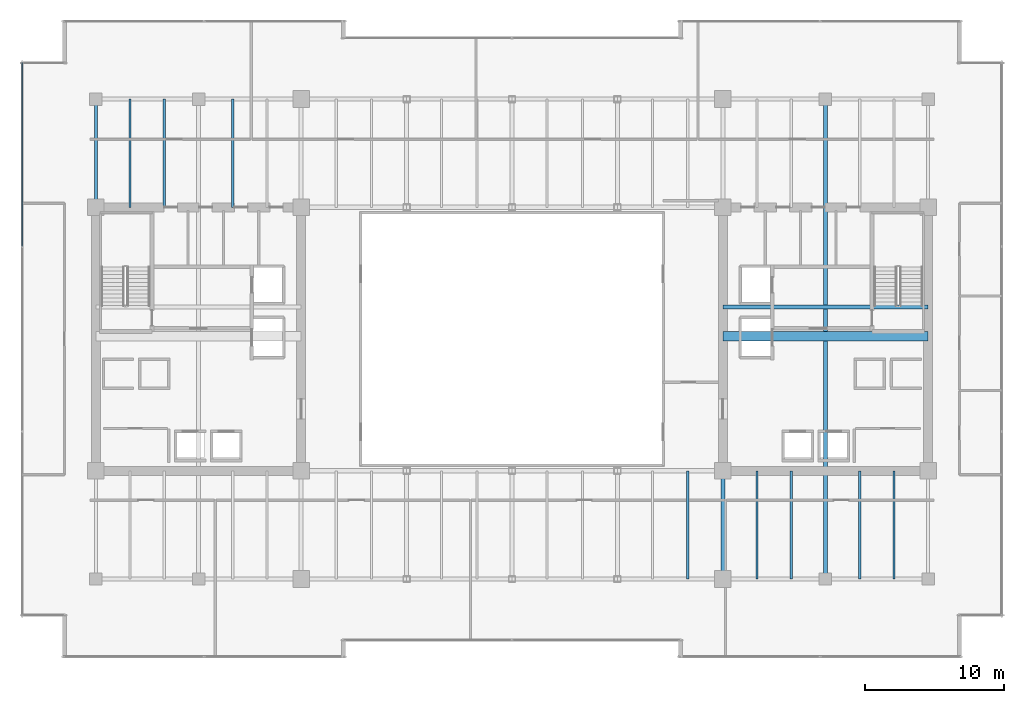
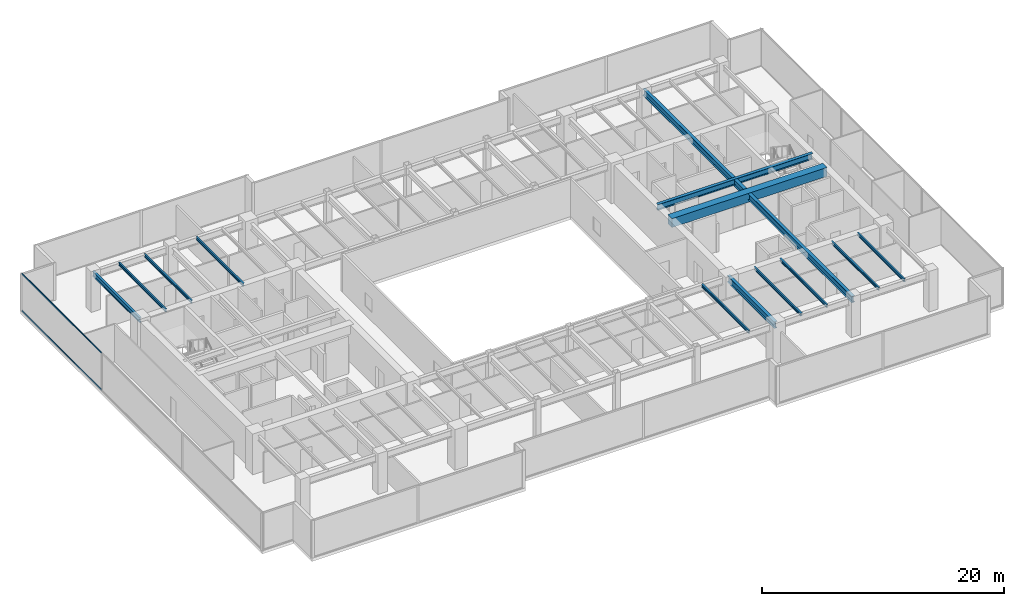
# One storey, part 13 of 30: 13 beams, 2 members, 1 element without a shape of its own.
"""IFC4 building model written with IfcOpenShell, lengths in metres."""

from ifc_helpers import new_model, si_unit, direction, frame, origin, origin_2d, place, context, subcontext, project, spatial, rectangle, hollow_rectangle, i_section, extrude, source, transform, mapped, material, layer, layer_set, material_profile, profile_set, type_object, type_shapes, element, aggregate, save


model = new_model("IFC4")

# Units and contexts
model_context = context("Model", 3, precision=1e-05, world=origin(), true_north=direction((0.0, 1.0)))
body_context = subcontext(model_context, "Body", "Model", "MODEL_VIEW")
ifc_project = project(units=[si_unit("LENGTHUNIT", "METRE"), si_unit("AREAUNIT", "SQUARE_METRE"), si_unit("VOLUMEUNIT", "CUBIC_METRE"), si_unit("PLANEANGLEUNIT", "RADIAN"), si_unit("MASSUNIT", "GRAM", prefix="KILO")], contexts=[model_context])

# Site, building, storey
site_placement = place(None, origin())
site = spatial("IfcSite", under=ifc_project, at=site_placement, CompositionType="ELEMENT")
building_placement = place(site_placement, origin())
building = spatial("IfcBuilding", under=site, at=building_placement, Name="Haelvirn Gate Laboratories", CompositionType="ELEMENT")
storey_placement = place(building_placement, frame((0.0, 0.0, 121.5)))
storey = spatial("IfcBuildingStorey", under=building, at=storey_placement, Name="L29", CompositionType="ELEMENT", Elevation=121.5)

# Beams
ifc_material_1 = material(Name="Concrete C60/75", Category="concrete")
ifc_material_profile_1 = material_profile(ifc_material_1, rectangle(XDim=0.699951171875, YDim=0.89990234375, at=origin_2d()), Name="RCB-700x900")
ifc_profile_set_1 = profile_set([ifc_material_profile_1], Name="Concrete C60/75")
beam_type_1 = type_object("IfcBeamType", Name="BM-RCB-900", PredefinedType="LINTEL", material=ifc_profile_set_1)
shared_shape_1 = source(origin(), body_context, "Body", "SweptSolid", [
    extrude(rectangle(XDim=0.699951171875, YDim=0.89990234375, at=origin_2d()), origin(), (0.0, 0.0, 1.0), 14.7998046875),
])
type_shapes(beam_type_1, [shared_shape_1])
beam_1_placement = place(storey_placement, frame((52.60009765625, 24.5, 3.340087890625), z_axis=(1.0, 0.0, 0.0), x_axis=(0.0, 1.0, 0.0)))
element("IfcBeam", 1, at=beam_1_placement, inside=storey, type_object=beam_type_1, Name="L29 East Core Coupling Beam", PredefinedType="LINTEL", context=body_context, shape_type="MappedRepresentation", body=[
    mapped(shared_shape_1, transform((0.0, 0.0, 0.0), scale=1.0)),
])
ifc_material_2 = material(Name="Steel SM355", Category="steel")
ifc_material_profile_2 = material_profile(ifc_material_2, i_section(OverallWidth=0.300048828125, OverallDepth=0.587890625, WebThickness=0.011962890625, FlangeThickness=0.02001953125, at=origin_2d()), Name="H-588x300x12x20")
ifc_profile_set_2 = profile_set([ifc_material_profile_2], Name="Steel SM355")
beam_type_2 = type_object("IfcBeamType", Name="BM-G-588", PredefinedType="BEAM", material=ifc_profile_set_2)
shared_shape_2 = source(origin(), body_context, "Body", "SweptSolid", [
    extrude(i_section(OverallWidth=0.300048828125, OverallDepth=0.587890625, WebThickness=0.011962890625, FlangeThickness=0.02001953125, at=origin_2d()), origin(), (0.0, 0.0, 1.0), 14.7998046875),
])
type_shapes(beam_type_2, [shared_shape_2])
beam_2_placement = place(storey_placement, frame((52.60009765625, 26.6201171875, 3.49609375), z_axis=(1.0, 0.0, 0.0), x_axis=(0.0, 1.0, 0.0)))
element("IfcBeam", 2, at=beam_2_placement, inside=storey, type_object=beam_type_2, Name="L29 Stair ST2 Landing Header", PredefinedType="BEAM", context=body_context, shape_type="MappedRepresentation", body=[
    mapped(shared_shape_2, transform((0.0, 0.0, 0.0), scale=1.0)),
])
ifc_material_profile_3 = material_profile(ifc_material_2, i_section(OverallWidth=0.199951171875, OverallDepth=0.5, WebThickness=0.010009765625, FlangeThickness=0.01611328125, at=origin_2d()), Name="H-500x200x10x16")
ifc_profile_set_3 = profile_set([ifc_material_profile_3], Name="Steel SM355")
beam_type_3 = type_object("IfcBeamType", Name="BM-SP-500", PredefinedType="SPANDREL", material=ifc_profile_set_3)
shared_shape_3 = source(origin(), body_context, "Body", "SweptSolid", [
    extrude(i_section(OverallWidth=0.199951171875, OverallDepth=0.5, WebThickness=0.010009765625, FlangeThickness=0.01611328125, at=origin_2d()), origin(), (0.0, 0.0, 1.0), 7.800048828125),
])
type_shapes(beam_type_3, [shared_shape_3])
beam_3_placement = place(storey_placement, frame((7.39990234375, 33.800048828125, 3.5400390625), z_axis=(0.0, 1.0, 0.0), x_axis=(-1.0, 0.0, 0.0)))
element("IfcBeam", 3, at=beam_3_placement, inside=storey, type_object=beam_type_3, Name="L29 Perimeter Spandrel X7.4 (33.8-41.6)", PredefinedType="SPANDREL", context=body_context, shape_type="MappedRepresentation", body=[
    mapped(shared_shape_3, transform((0.0, 0.0, 0.0), scale=1.0)),
])
ifc_material_profile_4 = material_profile(ifc_material_2, i_section(OverallWidth=0.300048828125, OverallDepth=0.64990234375, WebThickness=0.012939453125, FlangeThickness=0.02197265625, at=origin_2d()), Name="H-650x300x13x22")
ifc_profile_set_4 = profile_set([ifc_material_profile_4], Name="Steel SM355")
beam_type_4 = type_object("IfcBeamType", Name="BM-G-650", PredefinedType="BEAM", material=ifc_profile_set_4)
shared_shape_4 = source(origin(), body_context, "Body", "SweptSolid", [
    extrude(i_section(OverallWidth=0.300048828125, OverallDepth=0.64990234375, WebThickness=0.012939453125, FlangeThickness=0.02197265625, at=origin_2d()), origin(), (0.0, 0.0, 1.0), 34.60009765625),
])
beam_4_placement = place(storey_placement, frame((60.0, 7.0, 3.465087890625), z_axis=(0.0, 1.0, 0.0), x_axis=(-1.0, 0.0, 0.0)))
element("IfcBeam", 4, at=beam_4_placement, inside=storey, type_object=beam_type_4, Name="L29 Frame Girder X60.0 (7.0-41.6)", PredefinedType="BEAM", context=body_context, shape_type="MappedRepresentation", body=[
    mapped(shared_shape_4, transform((0.0, 0.0, 0.0), scale=1.0)),
])
shared_shape_5 = source(origin(), body_context, "Body", "SweptSolid", [
    extrude(i_section(OverallWidth=0.300048828125, OverallDepth=0.64990234375, WebThickness=0.012939453125, FlangeThickness=0.02197265625, at=origin_2d()), origin(), (0.0, 0.0, 1.0), 7.800048828125),
])
type_shapes(beam_type_4, [shared_shape_4, shared_shape_5])
beam_5_placement = place(storey_placement, frame((52.60009765625, 7.0, 3.465087890625), z_axis=(0.0, 1.0, 0.0), x_axis=(-1.0, 0.0, 0.0)))
element("IfcBeam", 5, at=beam_5_placement, inside=storey, type_object=beam_type_4, Name="L29 Frame Girder X52.6 (7.0-14.8)", PredefinedType="BEAM", context=body_context, shape_type="MappedRepresentation", body=[
    mapped(shared_shape_5, transform((0.0, 0.0, 0.0), scale=1.0)),
])
ifc_material_profile_5 = material_profile(ifc_material_2, i_section(OverallWidth=0.14990234375, OverallDepth=0.300048828125, WebThickness=0.006591796875, FlangeThickness=0.009033203125, at=origin_2d()), Name="H-300x150x6.5x9")
ifc_profile_set_5 = profile_set([ifc_material_profile_5], Name="Steel SM355")
beam_type_5 = type_object("IfcBeamType", Name="BM-J-300", PredefinedType="JOIST", material=ifc_profile_set_5)
shared_shape_6 = source(origin(), body_context, "Body", "SweptSolid", [
    extrude(i_section(OverallWidth=0.14990234375, OverallDepth=0.300048828125, WebThickness=0.006591796875, FlangeThickness=0.009033203125, at=origin_2d()), origin(), (0.0, 0.0, 1.0), 7.800048828125),
])
type_shapes(beam_type_5, [shared_shape_6])
for number, where, z_axis, x_axis, name in (
    (6, (9.8701171875, 33.800048828125, 3.639892578125), (0.0, 1.0, 0.0), (-1.0, 0.0, 0.0), "L29 Composite Lab Joist North X9.87"),
    (7, (12.330078125, 33.800048828125, 3.639892578125), (0.0, 1.0, 0.0), (-1.0, 0.0, 0.0), "L29 Composite Lab Joist North X12.33"),
    (8, (17.27001953125, 33.800048828125, 3.639892578125), (0.0, 1.0, 0.0), (-1.0, 0.0, 0.0), "L29 Composite Lab Joist North X17.27"),
    (9, (50.070068359375, 7.0, 3.639892578125), (0.0, 1.0, 0.0), (-1.0, 0.0, 0.0), "L29 Composite Lab Joist South X50.07"),
    (10, (55.070068359375, 7.0, 3.639892578125), (0.0, 1.0, 0.0), (-1.0, 0.0, 0.0), "L29 Composite Lab Joist South X55.07"),
    (11, (57.530029296875, 7.0, 3.639892578125), (0.0, 1.0, 0.0), (-1.0, 0.0, 0.0), "L29 Composite Lab Joist South X57.53"),
    (12, (62.469970703125, 7.0, 3.639892578125), (0.0, 1.0, 0.0), (-1.0, 0.0, 0.0), "L29 Composite Lab Joist South X62.47"),
    (13, (64.929931640625, 7.0, 3.639892578125), (0.0, 1.0, 0.0), (-1.0, 0.0, 0.0), "L29 Composite Lab Joist South X64.93"),
):
    element("IfcBeam", number, at=place(storey_placement, frame(where, z_axis=z_axis, x_axis=x_axis)), inside=storey, type_object=beam_type_5, Name=name, PredefinedType="JOIST", context=body_context, shape_type="MappedRepresentation", body=[
        mapped(shared_shape_6, transform((0.0, 0.0, 0.0), scale=1.0)),
    ])

# Curtain wall, members
ifc_material_3 = material(Name="Anodised bronze unitised aluminium & triple low-E glass", Category="aluminium")
ifc_layer = layer(ifc_material_3, 0.179931640625, Name="CW-SYS-3")
ifc_layer_set = layer_set([ifc_layer], Name="Anodised bronze unitised aluminium & triple low-E glass")
curtain_wall_type = type_object("IfcCurtainWallType", Name="CW-SYS-3", PredefinedType="NOTDEFINED", material=ifc_layer_set)
curtain_wall_placement = place(storey_placement, origin())
curtain_wall = element("IfcCurtainWall", 14, at=curtain_wall_placement, inside=storey, type_object=curtain_wall_type, Name="L29 Unitised Curtain Wall CW-L29-P0-E17", PredefinedType="NOTDEFINED")
ifc_material_4 = material(Name="Extruded aluminium 6063-T6 (anodised bronze)", Category="aluminium")
ifc_material_profile_6 = material_profile(ifc_material_4, hollow_rectangle(XDim=0.06494140625, YDim=0.139892578125, WallThickness=0.00390625, at=origin_2d()), Name="CWT-140x65x4")
ifc_profile_set_6 = profile_set([ifc_material_profile_6], Name="Extruded aluminium 6063-T6 (anodised bronze)")
member_type = type_object("IfcMemberType", Name="CWT-T140", PredefinedType="USERDEFINED", material=ifc_profile_set_6)
shared_shape_7 = source(origin(), body_context, "Body", "SweptSolid", [
    extrude(hollow_rectangle(XDim=0.06494140625, YDim=0.139892578125, WallThickness=0.00390625, at=origin_2d()), origin(), (0.0, 0.0, 1.0), 13.220947265625),
])
type_shapes(member_type, [shared_shape_7])
member_1_placement = place(storey_placement, frame((2.10009765625, 44.22509765625, 0.032470703125), z_axis=(0.0, -1.0, 0.0), x_axis=(1.0, 0.0, 0.0)))
member_1 = element("IfcMember", 15, at=member_1_placement, type_object=member_type, Name="CW3 transom 1.1", ObjectType="TRANSOM", PredefinedType="USERDEFINED", context=body_context, shape_type="MappedRepresentation", body=[
    mapped(shared_shape_7, transform((0.0, 0.0, 0.0), scale=1.0)),
])
member_2_placement = place(storey_placement, frame((2.10009765625, 44.22509765625, 3.757568359375), z_axis=(0.0, -1.0, 0.0), x_axis=(1.0, 0.0, 0.0)))
member_2 = element("IfcMember", 16, at=member_2_placement, type_object=member_type, Name="CW3 transom 1.2", ObjectType="TRANSOM", PredefinedType="USERDEFINED", context=body_context, shape_type="MappedRepresentation", body=[
    mapped(shared_shape_7, transform((0.0, 0.0, 0.0), scale=1.0)),
])
aggregate(curtain_wall, [member_1, member_2])

save(model, "model.ifc")
